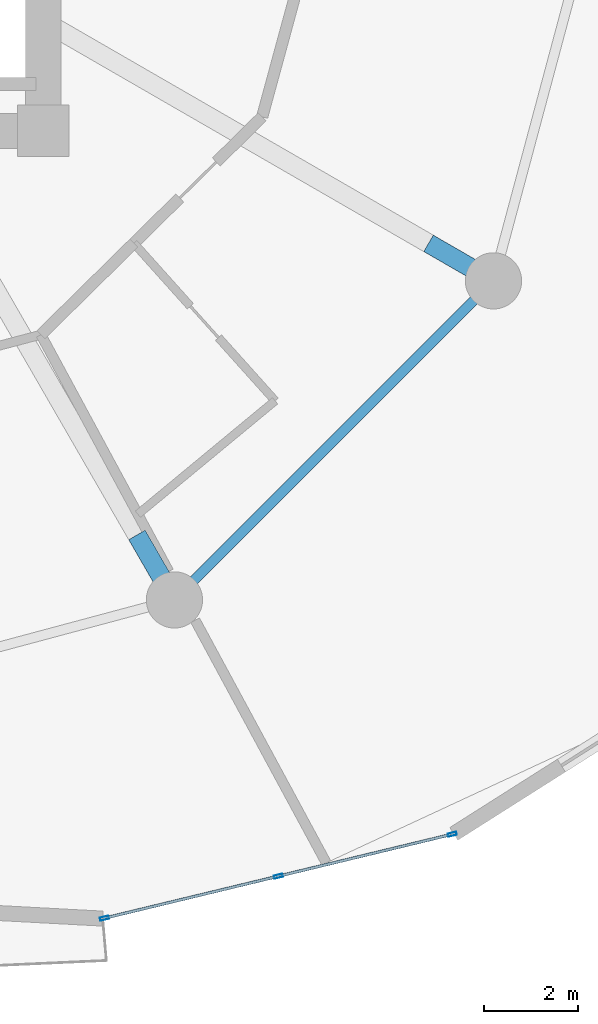
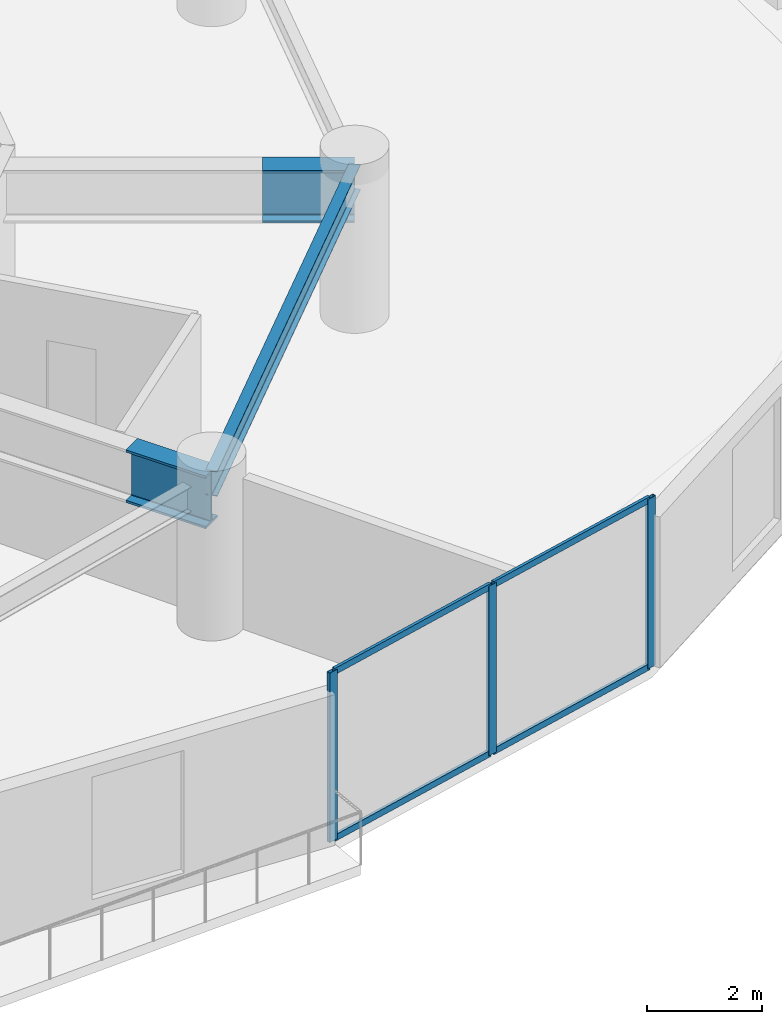
# One storey, part 8 of 24: 7 members, 3 beams, 1 element without a shape of its own.
"""IFC4 building model written with IfcOpenShell, lengths in metres."""

import ifcopenshell
import ifcopenshell.guid

model = None  # the IFC model being written
_history = None  # IfcOwnerHistory: only IFC2X3 demands one
_inside = {}  # id of a spatial element -> (the spatial element, [elements in it])
_under = {}  # id of a project, library or spatial element -> (it, [spatial elements below it])
_declared = {}  # id of a project -> (the project, [libraries it declares])
_typed = {}  # id of a type object -> (the type object, [elements of that type])
_made_of = {}  # id of a material, layer set ... -> (it, [elements and type objects made of it])


def new_model(schema):
    """Start an empty IFC model of exactly this schema.

    Asked for "IFC4X3", IfcOpenShell would pick the latest addendum, in which some entities
    have other attributes; the version numbers below select the first issue.
    IFC2X3 requires an IfcOwnerHistory on every rooted entity: one is made here for all.
    """
    global model, _history
    if schema == "IFC4X3":
        model = ifcopenshell.file(schema_version=(4, 3, 0, 0))
    else:
        model = ifcopenshell.file(schema=schema)
    _inside.clear()
    _under.clear()
    _declared.clear()
    _typed.clear()
    _made_of.clear()
    _history = None
    if model.schema == "IFC2X3":
        org = make("IfcOrganization", Name="unknown")
        user = make(
            "IfcPersonAndOrganization",
            ThePerson=make("IfcPerson", FamilyName="unknown"),
            TheOrganization=org,
        )
        app = make(
            "IfcApplication",
            ApplicationDeveloper=org,
            Version="unknown",
            ApplicationFullName="unknown",
            ApplicationIdentifier="unknown",
        )
        _history = make(
            "IfcOwnerHistory",
            OwningUser=user,
            OwningApplication=app,
            ChangeAction="ADDED",
            CreationDate=0,
        )
    return model


def make(cls, **values):
    """One entity of the class cls with the attributes given. An attribute that is None is left unset."""
    return model.create_entity(
        cls, **{name: value for name, value in values.items() if value is not None}
    )


def rooted(cls, **values):
    """An entity with a GlobalId (a new one), such as an element, a storey or a relation."""
    return make(cls, GlobalId=ifcopenshell.guid.new(), OwnerHistory=_history, **values)


def si_unit(unit_type, name, prefix=None):
    """IfcSIUnit, for example si_unit("LENGTHUNIT", "METRE", prefix="MILLI")."""
    return make("IfcSIUnit", UnitType=unit_type, Prefix=prefix, Name=name)


def assignment(units):
    """IfcUnitAssignment: the units of a project."""
    return None if units is None else make("IfcUnitAssignment", Units=units)


def point(xyz):
    """IfcCartesianPoint."""
    return None if xyz is None else make("IfcCartesianPoint", Coordinates=xyz)


def direction(xyz):
    """IfcDirection."""
    return None if xyz is None else make("IfcDirection", DirectionRatios=xyz)


def frame(location, z_axis=None, x_axis=None):
    """IfcAxis2Placement3D, a coordinate frame: its origin and axes. An axis left out is left unset."""
    return make(
        "IfcAxis2Placement3D",
        Location=point(location),
        Axis=direction(z_axis),
        RefDirection=direction(x_axis),
    )


def frame_2d(location, x_axis=None):
    """IfcAxis2Placement2D, a coordinate frame in the plane: its origin and x axis."""
    return make(
        "IfcAxis2Placement2D", Location=point(location), RefDirection=direction(x_axis)
    )


def origin():
    """The frame at (0, 0, 0) with its axes left unset."""
    return frame((0.0, 0.0, 0.0))


def origin_2d():
    """The frame at (0, 0) in the plane with its x axis left unset."""
    return frame_2d((0.0, 0.0))


def place(relative_to, where):
    """IfcLocalPlacement: puts the frame where relative to a parent placement (None: the world)."""
    return make(
        "IfcLocalPlacement", PlacementRelTo=relative_to, RelativePlacement=where
    )


def context(
    kind, dimensions, precision=None, world=None, true_north=None, identifier=None
):
    """IfcGeometricRepresentationContext, for example the 3D "Model" context."""
    return make(
        "IfcGeometricRepresentationContext",
        ContextIdentifier=identifier,
        ContextType=kind,
        CoordinateSpaceDimension=dimensions,
        Precision=precision,
        WorldCoordinateSystem=world,
        TrueNorth=true_north,
    )


def subcontext(parent, identifier, kind, view, scale=None):
    """IfcGeometricRepresentationSubContext, for example "Body" below "Model"."""
    return make(
        "IfcGeometricRepresentationSubContext",
        ContextIdentifier=identifier,
        ContextType=kind,
        ParentContext=parent,
        TargetScale=scale,
        TargetView=view,
    )


def project(units=None, contexts=None):
    """IfcProject with its units and contexts."""
    return rooted(
        "IfcProject",
        Name="project",
        RepresentationContexts=contexts,
        UnitsInContext=assignment(units),
    )


def spatial(cls, under=None, at=None, **own):
    """A site, building, storey or space (cls), placed at a placement, below another one or the project."""
    s = rooted(cls, ObjectPlacement=at, **own)
    if under is not None:
        _under.setdefault(under.id(), (under, []))[1].append(s)
    return s


def profile(cls, at=None, kind="AREA", **sizes):
    """A parametric profile (cls). Its sizes go by their IFC names, for example OverallWidth=200.0."""
    return make(cls, ProfileType=kind, Position=at, **sizes)


def hollow_rectangle(**sizes):
    """IfcRectangleHollowProfileDef."""
    return profile("IfcRectangleHollowProfileDef", **sizes)


def i_section(**sizes):
    """IfcIShapeProfileDef."""
    return profile("IfcIShapeProfileDef", **sizes)


def extrude(swept, where, along, depth):
    """IfcExtrudedAreaSolid: the profile swept, set in the frame where, extruded along a direction by depth."""
    return make(
        "IfcExtrudedAreaSolid",
        SweptArea=swept,
        Position=where,
        ExtrudedDirection=direction(along),
        Depth=depth,
    )


def shape(context_of_items, identifier, shape_type, items):
    """IfcShapeRepresentation: the items that make up one representation, for example the "Body"."""
    return make(
        "IfcShapeRepresentation",
        ContextOfItems=context_of_items,
        RepresentationIdentifier=identifier,
        RepresentationType=shape_type,
        Items=items,
    )


def source(mapping_origin, context_of_items, identifier, shape_type, items):
    """IfcRepresentationMap: a shape defined once, which mapped items show again and again."""
    return make(
        "IfcRepresentationMap",
        MappingOrigin=mapping_origin,
        MappedRepresentation=shape(context_of_items, identifier, shape_type, items),
    )


def transform(
    local_origin,
    x_axis=None,
    y_axis=None,
    z_axis=None,
    scale=None,
    scale2=None,
    scale3=None,
    uniform=True,
):
    """IfcCartesianTransformationOperator3D, or its non-uniform kind. x_axis, y_axis, z_axis: its Axis1, 2, 3."""
    if uniform:
        return make(
            "IfcCartesianTransformationOperator3D",
            Axis1=direction(x_axis),
            Axis2=direction(y_axis),
            LocalOrigin=point(local_origin),
            Scale=scale,
            Axis3=direction(z_axis),
        )
    return make(
        "IfcCartesianTransformationOperator3DnonUniform",
        Axis1=direction(x_axis),
        Axis2=direction(y_axis),
        LocalOrigin=point(local_origin),
        Scale=scale,
        Axis3=direction(z_axis),
        Scale2=scale2,
        Scale3=scale3,
    )


def mapped(mapping_source, mapping_target):
    """IfcMappedItem: shows the shape of a source again, moved by a transform."""
    return make(
        "IfcMappedItem", MappingSource=mapping_source, MappingTarget=mapping_target
    )


def material(Name=None, Category=None):
    """IfcMaterial."""
    return make("IfcMaterial", Name=Name, Category=Category)


def layer(
    of_material, thickness, ventilated=None, Name=None, Category=None, Priority=None
):
    """IfcMaterialLayer: one layer of a wall or slab, of a material (None: an air gap)."""
    return make(
        "IfcMaterialLayer",
        Material=of_material,
        LayerThickness=thickness,
        IsVentilated=ventilated,
        Name=Name,
        Category=Category,
        Priority=Priority,
    )


def layer_set(layers, Name=None):
    """IfcMaterialLayerSet."""
    return make("IfcMaterialLayerSet", MaterialLayers=layers, LayerSetName=Name)


def material_profile(
    of_material, cross_section, Name=None, Category=None, Priority=None
):
    """IfcMaterialProfile: a cross section and its material."""
    return make(
        "IfcMaterialProfile",
        Name=Name,
        Material=of_material,
        Profile=cross_section,
        Priority=Priority,
        Category=Category,
    )


def profile_set(profiles, Name=None, composite=None):
    """IfcMaterialProfileSet."""
    return make(
        "IfcMaterialProfileSet",
        Name=Name,
        MaterialProfiles=profiles,
        CompositeProfile=composite,
    )


def made_of(thing, what):
    """Note that an element or type object is made of a material, layer set ...; save() writes the relation."""
    if what is not None:
        _made_of.setdefault(what.id(), (what, []))[1].append(thing)
    return thing


def type_object(cls, material=None, **own):
    """A type object (cls), such as IfcWallType, which elements share."""
    return made_of(rooted(cls, **own), material)


def element(
    cls,
    number,
    at=None,
    inside=None,
    cuts=None,
    type_object=None,
    material=None,
    context=None,
    identifier="Body",
    shape_type=None,
    held_by="IfcProductDefinitionShape",
    body=None,
    shapes=None,
    **own,
):
    """One element of the class cls, such as IfcWall. Its Tag is "e" and its number.

    at: its placement. inside: the storey or other place that contains it. cuts: it is an
    opening in that element (IfcRelVoidsElement). A single representation is given by context,
    identifier, shape_type and body (its items); several are given by shapes. held_by: the class
    of the entity that holds the representations. save() writes the other relations.
    """
    e = rooted(cls, Tag="e%d" % number, ObjectPlacement=at, **own)
    if body is not None:
        shapes = [shape(context, identifier, shape_type, body)]
    if shapes is not None:
        e.Representation = make(held_by, Representations=shapes)
    if inside is not None:
        _inside.setdefault(inside.id(), (inside, []))[1].append(e)
    if cuts is not None:
        rooted(
            "IfcRelVoidsElement", RelatingBuildingElement=cuts, RelatedOpeningElement=e
        )
    if type_object is not None:
        _typed.setdefault(type_object.id(), (type_object, []))[1].append(e)
    return made_of(e, material)


def aggregate(whole, parts):
    """IfcRelAggregates: a whole, such as a stair, and the parts it consists of."""
    return rooted("IfcRelAggregates", RelatingObject=whole, RelatedObjects=parts)


def save(model, path):
    """Write the relations noted so far, then the file.

    IfcRelAggregates (storeys below a building ...), IfcRelContainedInSpatialStructure (elements
    in a storey), IfcRelDefinesByType, IfcRelAssociatesMaterial and IfcRelDeclares: one each for
    every whole, place, type object, material and project.
    """
    for whole, parts in _under.values():
        aggregate(whole, parts)
    for where, things in _inside.values():
        rooted(
            "IfcRelContainedInSpatialStructure",
            RelatedElements=things,
            RelatingStructure=where,
        )
    for kind, things in _typed.values():
        rooted("IfcRelDefinesByType", RelatedObjects=things, RelatingType=kind)
    for what, things in _made_of.values():
        rooted("IfcRelAssociatesMaterial", RelatedObjects=things, RelatingMaterial=what)
    for by, libraries in _declared.values():
        rooted("IfcRelDeclares", RelatingContext=by, RelatedDefinitions=libraries)
    model.write(path)


model = new_model("IFC4")

# Units and contexts
model_context = context("Model", 3, precision=1e-05, world=origin(), true_north=direction((0.0, 1.0)))
body_context = subcontext(model_context, "Body", "Model", "MODEL_VIEW")
ifc_project = project(units=[si_unit("LENGTHUNIT", "METRE"), si_unit("AREAUNIT", "SQUARE_METRE"), si_unit("VOLUMEUNIT", "CUBIC_METRE"), si_unit("PLANEANGLEUNIT", "RADIAN"), si_unit("MASSUNIT", "GRAM", prefix="KILO")], contexts=[model_context])

# Site, building, storey
site_placement = place(None, origin())
site = spatial("IfcSite", under=ifc_project, at=site_placement, CompositionType="ELEMENT")
building_placement = place(site_placement, origin())
building = spatial("IfcBuilding", under=site, at=building_placement, Name="Solvirekh Grand Hotel", CompositionType="ELEMENT")
storey_placement = place(building_placement, frame((0.0, 0.0, 89.60009765625)))
storey = spatial("IfcBuildingStorey", under=building, at=storey_placement, Name="L22", CompositionType="ELEMENT", Elevation=89.60009765625)

# Beams
ifc_material_1 = material(Name="Steel S355", Category="steel")
ifc_material_profile_1 = material_profile(ifc_material_1, i_section(OverallWidth=0.208984375, OverallDepth=0.532958984375, WebThickness=0.010009765625, FlangeThickness=0.014892578125, FilletRadius=0.013916015625, at=origin_2d()), Name="W530X92")
ifc_profile_set_1 = profile_set([ifc_material_profile_1], Name="Steel S355")
beam_type_1 = type_object("IfcBeamType", Name="Spandrel_Ring_W530", PredefinedType="SPANDREL", material=ifc_profile_set_1)
beam_placement = place(storey_placement, frame((9.300048828125, -16.10791015625, 2.933837890625), z_axis=(0.707106781187, 0.707106781187, 0.0), x_axis=(-0.707106781187, 0.707106781187, 0.0)))
element("IfcBeam", 1, at=beam_placement, inside=storey, type_object=beam_type_1, Name="L22 perimeter spandrel beam 11", PredefinedType="SPANDREL", context=body_context, shape_type="SweptSolid", body=[
    extrude(i_section(OverallWidth=0.208984375, OverallDepth=0.532958984375, WebThickness=0.010009765625, FlangeThickness=0.014892578125, FilletRadius=0.013916015625, at=origin_2d()), origin(), (0.0, 0.0, 1.0), 9.627685546875),
])
ifc_material_2 = material(Name="Steel S460", Category="steel")
ifc_material_profile_2 = material_profile(ifc_material_2, i_section(OverallWidth=0.405029296875, OverallDepth=1.117919921875, WebThickness=0.02587890625, FlangeThickness=0.048095703125, FilletRadius=0.02392578125, at=origin_2d()), Name="W1100X499")
ifc_profile_set_2 = profile_set([ifc_material_profile_2], Name="Steel S460")
beam_type_2 = type_object("IfcBeamType", Name="TransferGirder_W1100", PredefinedType="USERDEFINED", material=ifc_profile_set_2)
for number, where, z_axis, x_axis, name in (
    (2, (8.5, -14.721923828125, 2.640869140625), (0.499929347863, -0.866066190972, 0.0), (0.866066190972, 0.499929347863, 0.0), "L22 outer radial transfer girder 11B"),
    (3, (14.721923828125, -8.5, 2.640869140625), (0.866066190972, -0.499929347863, 0.0), (0.499929347863, 0.866066190972, 0.0), "L22 outer radial transfer girder 12B"),
):
    element("IfcBeam", number, at=place(storey_placement, frame(where, z_axis=z_axis, x_axis=x_axis)), inside=storey, type_object=beam_type_2, Name=name, ObjectType="TRANSFER GIRDER", PredefinedType="USERDEFINED", context=body_context, shape_type="SweptSolid", body=[
        extrude(i_section(OverallWidth=0.405029296875, OverallDepth=1.117919921875, WebThickness=0.02587890625, FlangeThickness=0.048095703125, FilletRadius=0.02392578125, at=origin_2d()), origin(), (0.0, 0.0, 1.0), 1.600341796875),
    ])

# Curtain wall, members
ifc_material_3 = material(Name="Anodized Bronze Aluminium 6063-T6", Category="aluminium")
ifc_layer = layer(ifc_material_3, 0.18994140625)
ifc_layer_set = layer_set([ifc_layer], Name="Anodized Bronze Aluminium 6063-T6")
curtain_wall_type = type_object("IfcCurtainWallType", Name="CW_Sys2_LowZoneFlushBronzeCW", PredefinedType="NOTDEFINED", material=ifc_layer_set)
curtain_wall_placement = place(storey_placement, origin())
curtain_wall = element("IfcCurtainWall", 4, at=curtain_wall_placement, inside=storey, type_object=curtain_wall_type, Name="L22 unitised bronze-glass curtain wall CW-L22-C18", PredefinedType="NOTDEFINED")
ifc_material_profile_3 = material_profile(ifc_material_3, hollow_rectangle(XDim=0.06005859375, YDim=0.135009765625, WallThickness=0.00390625, at=origin_2d()), Name="ALU RHS 135X60X4")
ifc_profile_set_3 = profile_set([ifc_material_profile_3], Name="Anodized Bronze Aluminium 6063-T6")
member_type_1 = type_object("IfcMemberType", Name="CWTransom_Sys2", PredefinedType="USERDEFINED", material=ifc_profile_set_3)
shared_shape_1 = source(origin(), body_context, "Body", "SweptSolid", [
    extrude(hollow_rectangle(XDim=0.06005859375, YDim=0.135009765625, WallThickness=0.00390625, at=origin_2d()), origin(), (0.0, 0.0, 1.0), 3.74755859375),
])
member_1_placement = place(storey_placement, frame((7.840087890625, -22.8916015625, 0.02978515625), z_axis=(0.972076571874, 0.234663883915, 0.0), x_axis=(-0.234663883915, 0.972076571874, 0.0)))
member_1 = element("IfcMember", 5, at=member_1_placement, type_object=member_type_1, Name="U02 transom 1.1", ObjectType="TRANSOM", PredefinedType="USERDEFINED", context=body_context, shape_type="MappedRepresentation", body=[
    mapped(shared_shape_1, transform((0.0, 0.0, 0.0), x_axis=(1.0, 0.0, 0.0), y_axis=(0.0, 1.0, 0.0), z_axis=(0.0, 0.0, 1.0), scale=1.0)),
])
member_2_placement = place(storey_placement, frame((7.840087890625, -22.8916015625, 3.56982421875), z_axis=(0.972076571874, 0.234663883915, 0.0), x_axis=(-0.234663883915, 0.972076571874, 0.0)))
member_2 = element("IfcMember", 6, at=member_2_placement, type_object=member_type_1, Name="U02 transom 1.2", ObjectType="TRANSOM", PredefinedType="USERDEFINED", context=body_context, shape_type="MappedRepresentation", body=[
    mapped(shared_shape_1, transform((0.0, 0.0, 0.0), x_axis=(1.0, 0.0, 0.0), y_axis=(0.0, 1.0, 0.0), z_axis=(0.0, 0.0, 1.0), scale=1.0)),
])
member_3_placement = place(storey_placement, frame((11.551025390625, -21.995849609375, 0.02978515625), z_axis=(0.972076571874, 0.234663883915, 0.0), x_axis=(-0.234663883915, 0.972076571874, 0.0)))
member_3 = element("IfcMember", 7, at=member_3_placement, type_object=member_type_1, Name="U02 transom 2.1", ObjectType="TRANSOM", PredefinedType="USERDEFINED", context=body_context, shape_type="MappedRepresentation", body=[
    mapped(shared_shape_1, transform((0.0, 0.0, 0.0), x_axis=(1.0, 0.0, 0.0), y_axis=(0.0, 1.0, 0.0), z_axis=(0.0, 0.0, 1.0), scale=1.0)),
])
member_4_placement = place(storey_placement, frame((11.551025390625, -21.995849609375, 3.56982421875), z_axis=(0.972076571874, 0.234663883915, 0.0), x_axis=(-0.234663883915, 0.972076571874, 0.0)))
member_4 = element("IfcMember", 8, at=member_4_placement, type_object=member_type_1, Name="U02 transom 2.2", ObjectType="TRANSOM", PredefinedType="USERDEFINED", context=body_context, shape_type="MappedRepresentation", body=[
    mapped(shared_shape_1, transform((0.0, 0.0, 0.0), x_axis=(1.0, 0.0, 0.0), y_axis=(0.0, 1.0, 0.0), z_axis=(0.0, 0.0, 1.0), scale=1.0)),
])
ifc_material_profile_4 = material_profile(ifc_material_3, hollow_rectangle(XDim=0.070068359375, YDim=0.18994140625, WallThickness=0.0048828125, at=origin_2d()), Name="ALU RHS 190X70X5")
ifc_profile_set_4 = profile_set([ifc_material_profile_4], Name="Anodized Bronze Aluminium 6063-T6")
member_type_2 = type_object("IfcMemberType", Name="CWMullion_Sys2", PredefinedType="MULLION", material=ifc_profile_set_4)
shared_shape_2 = source(origin(), body_context, "Body", "SweptSolid", [
    extrude(hollow_rectangle(XDim=0.070068359375, YDim=0.18994140625, WallThickness=0.0048828125, at=origin_2d()), origin(), (0.0, 0.0, 1.0), 3.599853515625),
])
member_5_placement = place(storey_placement, frame((7.805908203125, -22.89990234375, 0.0), z_axis=(0.0, 0.0, 1.0), x_axis=(-0.234648990915, 0.972080166994, 0.0)))
member_5 = element("IfcMember", 9, at=member_5_placement, type_object=member_type_2, Name="U02 mullion 1", PredefinedType="MULLION", context=body_context, shape_type="MappedRepresentation", body=[
    mapped(shared_shape_2, transform((0.0, 0.0, 0.0), x_axis=(1.0, 0.0, 0.0), y_axis=(0.0, 1.0, 0.0), z_axis=(0.0, 0.0, 1.0), scale=1.0)),
])
member_6_placement = place(storey_placement, frame((11.51708984375, -22.00390625, 0.0), z_axis=(0.0, 0.0, 1.0), x_axis=(-0.234648990915, 0.972080166994, 0.0)))
member_6 = element("IfcMember", 10, at=member_6_placement, type_object=member_type_2, Name="U02 mullion 2", PredefinedType="MULLION", context=body_context, shape_type="MappedRepresentation", body=[
    mapped(shared_shape_2, transform((0.0, 0.0, 0.0), x_axis=(1.0, 0.0, 0.0), y_axis=(0.0, 1.0, 0.0), z_axis=(0.0, 0.0, 1.0), scale=1.0)),
])
member_7_placement = place(storey_placement, frame((15.22802734375, -21.108154296875, 0.0), z_axis=(0.0, 0.0, 1.0), x_axis=(-0.234648990915, 0.972080166994, 0.0)))
member_7 = element("IfcMember", 11, at=member_7_placement, type_object=member_type_2, Name="U02 mullion 3", PredefinedType="MULLION", context=body_context, shape_type="MappedRepresentation", body=[
    mapped(shared_shape_2, transform((0.0, 0.0, 0.0), x_axis=(1.0, 0.0, 0.0), y_axis=(0.0, 1.0, 0.0), z_axis=(0.0, 0.0, 1.0), scale=1.0)),
])
aggregate(curtain_wall, [member_5, member_6, member_7, member_1, member_2, member_3, member_4])

save(model, "model.ifc")
